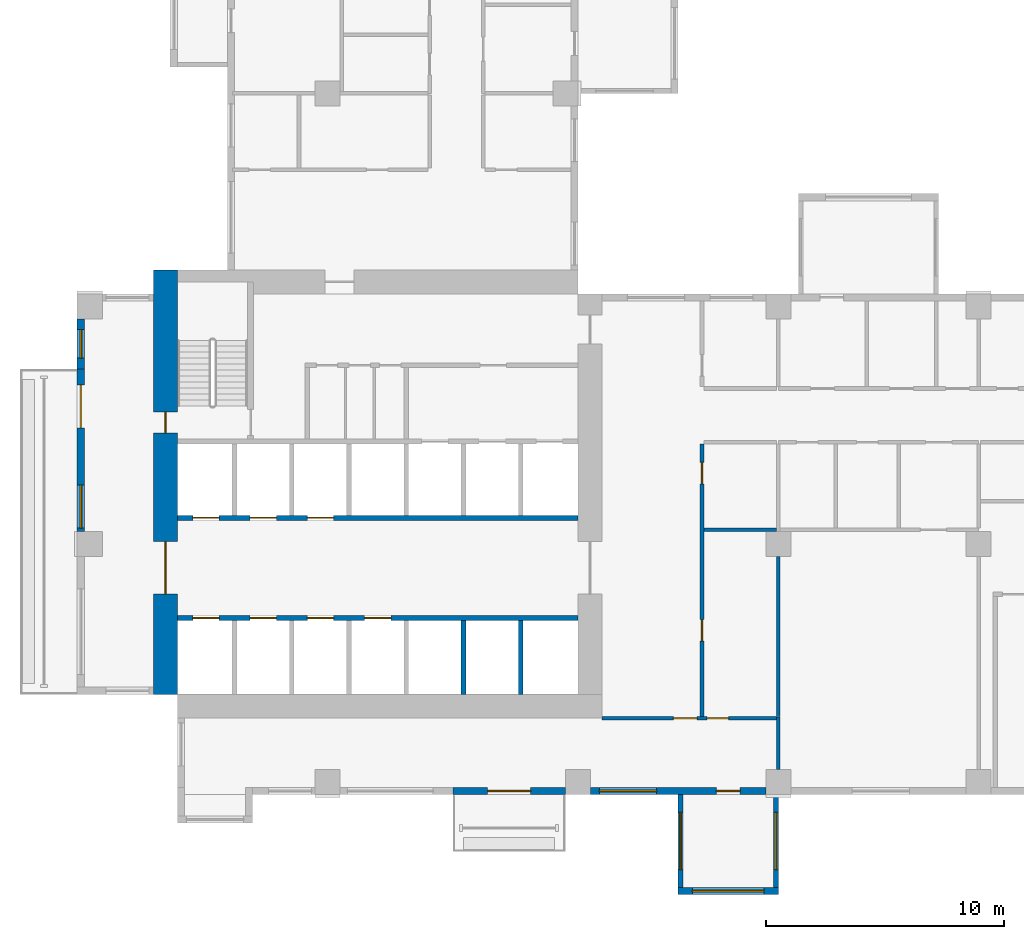
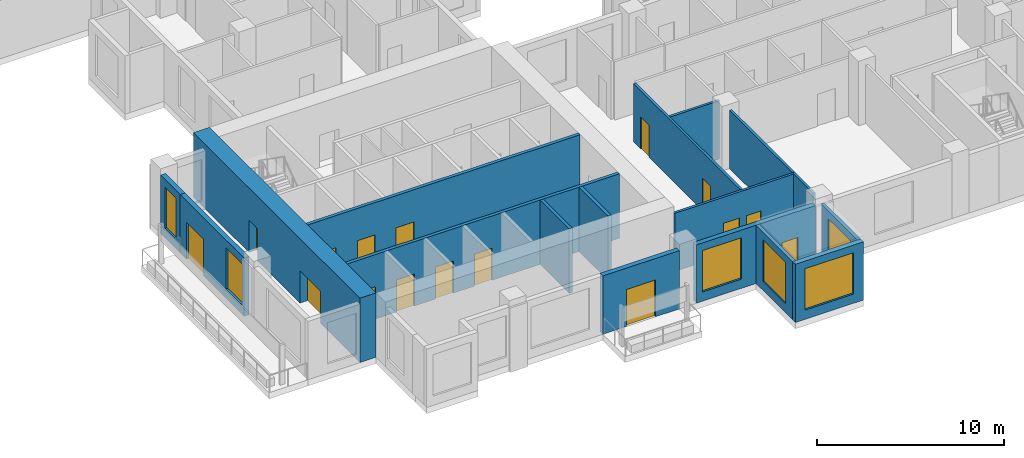
# One storey, part 2 of 15: 17 walls, 16 doors, 6 windows, 22 openings.
"""IFC4 building model written with IfcOpenShell, lengths in metres."""

from ifc_helpers import new_model, si_unit, direction, frame, frame_2d, origin, place, context, subcontext, project, spatial, rectangle, extrude, source, transform, mapped, material, layer, layer_set, type_object, element, fill, save


model = new_model("IFC4")

# Units and contexts
model_context = context("Model", 3, precision=1e-05, world=origin(), true_north=direction((0.0, 1.0)))
body_context = subcontext(model_context, "Body", "Model", "MODEL_VIEW")
ifc_project = project(units=[si_unit("LENGTHUNIT", "METRE"), si_unit("AREAUNIT", "SQUARE_METRE"), si_unit("VOLUMEUNIT", "CUBIC_METRE"), si_unit("PLANEANGLEUNIT", "RADIAN"), si_unit("MASSUNIT", "GRAM", prefix="KILO")], contexts=[model_context])

# Site, building, storey
site_placement = place(None, origin())
site = spatial("IfcSite", under=ifc_project, at=site_placement, CompositionType="ELEMENT")
building_placement = place(site_placement, origin())
building = spatial("IfcBuilding", under=site, at=building_placement, Name="Aurelian Terraces", CompositionType="ELEMENT")
storey_placement = place(building_placement, frame((0.0, 0.0, 137.1)))
storey = spatial("IfcBuildingStorey", under=building, at=storey_placement, Name="L30", CompositionType="ELEMENT", Elevation=137.1)

# Wall, openings, doors
ifc_material_1 = material(Name="Concrete fc' 83 MPa", Category="concrete")
ifc_layer_1 = layer(ifc_material_1, 1.0)
ifc_layer_set_1 = layer_set([ifc_layer_1], Name="CORE WALL 1000 FC83")
wall_type_1 = type_object("IfcWallType", Name="CORE WALL 1000 FC83", PredefinedType="SHEAR", material=ifc_layer_set_1)
shared_shape_1 = source(origin(), body_context, "Body", "SweptSolid", [
    extrude(rectangle(XDim=17.8, YDim=1.0, at=frame_2d((8.9, 0.0))), origin(), (0.0, 0.0, 1.0), 4.2),
])
wall_1_placement = place(storey_placement, frame((3.7, 4.2, 0.0), z_axis=(0.0, 0.0, 1.0), x_axis=(0.0, 1.0, 0.0)))
wall_1 = element("IfcWall", 1, at=wall_1_placement, inside=storey, type_object=wall_type_1, Name="Core wall W L30", PredefinedType="SHEAR", context=body_context, shape_type="MappedRepresentation", body=[
    mapped(shared_shape_1, transform((0.0, 0.0, 0.0), scale=1.0)),
])
shared_shape_2 = source(origin(), body_context, "Body", "SweptSolid", [
    extrude(rectangle(XDim=2.2, YDim=2.1, at=frame_2d((1.1, 1.05))), frame((0.0, 0.51, 0.0), z_axis=(0.0, -1.0, 0.0), x_axis=(1.0, 0.0, 0.0)), (0.0, 0.0, 1.0), 1.02),
])
opening_1_placement = place(wall_1_placement, frame((4.2, 0.0, 0.0)))
opening_1 = element("IfcOpeningElement", 2, at=opening_1_placement, cuts=wall_1, Name="Opening 63322", PredefinedType="OPENING", context=body_context, shape_type="MappedRepresentation", body=[
    mapped(shared_shape_2, transform((0.0, 0.0, 0.0), scale=1.0)),
])
shared_shape_3 = source(origin(), body_context, "Body", "SweptSolid", [
    extrude(rectangle(XDim=0.9, YDim=2.1, at=frame_2d((0.45, 1.05))), frame((0.0, 0.51, 0.0), z_axis=(0.0, -1.0, 0.0), x_axis=(1.0, 0.0, 0.0)), (0.0, 0.0, 1.0), 1.02),
])
opening_2_placement = place(wall_1_placement, frame((10.95, 0.0, 0.0)))
opening_2 = element("IfcOpeningElement", 3, at=opening_2_placement, cuts=wall_1, Name="Opening 63325", PredefinedType="OPENING", context=body_context, shape_type="MappedRepresentation", body=[
    mapped(shared_shape_3, transform((0.0, 0.0, 0.0), scale=1.0)),
])
ifc_material_2 = material(Name="Steel door leaf", Category="steel")
door_type_1 = type_object("IfcDoorType", Name="Core service door 900x2100 right", OperationType="SINGLE_SWING_RIGHT", PredefinedType="DOOR", material=ifc_material_2)
shared_shape_4 = source(origin(), body_context, "Body", "SweptSolid", [
    extrude(rectangle(XDim=0.9, YDim=2.1, at=frame_2d((0.45, 1.05))), frame((0.0, 0.025, 0.0), z_axis=(0.0, -1.0, 0.0), x_axis=(1.0, 0.0, 0.0)), (0.0, 0.0, 1.0), 0.05),
])
door_1_placement = place(opening_2_placement, origin())
door_1 = element("IfcDoor", 4, at=door_1_placement, inside=storey, type_object=door_type_1, Name="Core door 63325", OperationType="SINGLE_SWING_RIGHT", OverallHeight=2.1, OverallWidth=0.9, PredefinedType="DOOR", context=body_context, shape_type="MappedRepresentation", body=[
    mapped(shared_shape_4, transform((0.0, 0.0, 0.0), scale=1.0)),
])
fill(opening_2, door_1)
door_type_2 = type_object("IfcDoorType", Name="Core double door 2200x2100", OperationType="DOUBLE_DOOR_SINGLE_SWING", PredefinedType="DOOR", material=ifc_material_2)
shared_shape_5 = source(origin(), body_context, "Body", "SweptSolid", [
    extrude(rectangle(XDim=2.2, YDim=2.1, at=frame_2d((1.1, 1.05))), frame((0.0, 0.025, 0.0), z_axis=(0.0, -1.0, 0.0), x_axis=(1.0, 0.0, 0.0)), (0.0, 0.0, 1.0), 0.05),
])
door_2_placement = place(opening_1_placement, origin())
door_2 = element("IfcDoor", 5, at=door_2_placement, inside=storey, type_object=door_type_2, Name="Core door 63322", OperationType="DOUBLE_DOOR_SINGLE_SWING", OverallHeight=2.1, OverallWidth=2.2, PredefinedType="DOOR", context=body_context, shape_type="MappedRepresentation", body=[
    mapped(shared_shape_5, transform((0.0, 0.0, 0.0), scale=1.0)),
])
fill(opening_1, door_2)

# Wall, opening, window
ifc_material_3 = material(Name="Concrete fc' 40 MPa", Category="concrete")
ifc_layer_2 = layer(ifc_material_3, 0.2)
ifc_layer_set_2 = layer_set([ifc_layer_2], Name="BOX BEARING WALL 200")
wall_type_2 = type_object("IfcWallType", Name="BOX BEARING WALL 200", PredefinedType="SOLIDWALL", material=ifc_layer_set_2)
shared_shape_6 = source(origin(), body_context, "Body", "SweptSolid", [
    extrude(rectangle(XDim=3.9, YDim=0.2, at=frame_2d((1.95, 0.0))), origin(), (0.0, 0.0, 1.0), 3.8),
])
wall_2_placement = place(storey_placement, frame((25.3, 0.0, 0.0), z_axis=(0.0, 0.0, 1.0), x_axis=(0.0, -1.0, 0.0)))
wall_2 = element("IfcWall", 6, at=wall_2_placement, inside=storey, type_object=wall_type_2, Name="Box return L30 J39.1", PredefinedType="SOLIDWALL", context=body_context, shape_type="MappedRepresentation", body=[
    mapped(shared_shape_6, transform((0.0, 0.0, 0.0), scale=1.0)),
])
shared_shape_7 = source(origin(), body_context, "Body", "SweptSolid", [
    extrude(rectangle(XDim=2.4, YDim=2.7, at=frame_2d((1.2, 1.35))), frame((0.0, 0.11, 0.0), z_axis=(0.0, -1.0, 0.0), x_axis=(1.0, 0.0, 0.0)), (0.0, 0.0, 1.0), 0.22),
])
opening_3_placement = place(wall_2_placement, frame((0.75, 0.0, 0.6)))
opening_3 = element("IfcOpeningElement", 7, at=opening_3_placement, cuts=wall_2, Name="Opening W2427", PredefinedType="OPENING", context=body_context, shape_type="MappedRepresentation", body=[
    mapped(shared_shape_7, transform((0.0, 0.0, 0.0), scale=1.0)),
])
ifc_material_4 = material(Name="Clear glazing", Category="glass")
window_type_1 = type_object("IfcWindowType", Name="W-2400x2700", PartitioningType="SINGLE_PANEL", PredefinedType="WINDOW", material=ifc_material_4)
shared_shape_8 = source(origin(), body_context, "Body", "SweptSolid", [
    extrude(rectangle(XDim=2.4, YDim=2.7, at=frame_2d((1.2, 1.35))), frame((0.0, 0.03, 0.0), z_axis=(0.0, -1.0, 0.0), x_axis=(1.0, 0.0, 0.0)), (0.0, 0.0, 1.0), 0.06),
])
window_1_placement = place(opening_3_placement, origin())
window_1 = element("IfcWindow", 8, at=window_1_placement, inside=storey, type_object=window_type_1, Name="Window L30 J39-S1", OverallHeight=2.7, OverallWidth=2.4, PartitioningType="SINGLE_PANEL", PredefinedType="WINDOW", context=body_context, shape_type="MappedRepresentation", body=[
    mapped(shared_shape_8, transform((0.0, 0.0, 0.0), scale=1.0)),
])
fill(opening_3, window_1)

wall_3_placement = place(storey_placement, frame((29.3, 0.0, 0.0), z_axis=(0.0, 0.0, 1.0), x_axis=(0.0, -1.0, 0.0)))
wall_3 = element("IfcWall", 9, at=wall_3_placement, inside=storey, type_object=wall_type_2, Name="Box return L30 J39.2", PredefinedType="SOLIDWALL", context=body_context, shape_type="MappedRepresentation", body=[
    mapped(shared_shape_6, transform((0.0, 0.0, 0.0), scale=1.0)),
])
opening_4_placement = place(wall_3_placement, frame((0.75, 0.0, 0.6)))
opening_4 = element("IfcOpeningElement", 10, at=opening_4_placement, cuts=wall_3, Name="Opening W2427", PredefinedType="OPENING", context=body_context, shape_type="MappedRepresentation", body=[
    mapped(shared_shape_7, transform((0.0, 0.0, 0.0), scale=1.0)),
])
window_2_placement = place(opening_4_placement, origin())
window_2 = element("IfcWindow", 11, at=window_2_placement, inside=storey, type_object=window_type_1, Name="Window L30 J39-S2", OverallHeight=2.7, OverallWidth=2.4, PartitioningType="SINGLE_PANEL", PredefinedType="WINDOW", context=body_context, shape_type="MappedRepresentation", body=[
    mapped(shared_shape_8, transform((0.0, 0.0, 0.0), scale=1.0)),
])
fill(opening_4, window_2)

ifc_layer_3 = layer(ifc_material_3, 0.3)
ifc_layer_set_3 = layer_set([ifc_layer_3], Name="BOX BEARING WALL 300")
wall_type_3 = type_object("IfcWallType", Name="BOX BEARING WALL 300", PredefinedType="SOLIDWALL", material=ifc_layer_set_3)
shared_shape_9 = source(origin(), body_context, "Body", "SweptSolid", [
    extrude(rectangle(XDim=4.2, YDim=0.3, at=frame_2d((2.1, 0.0))), origin(), (0.0, 0.0, 1.0), 3.8),
])
wall_4_placement = place(storey_placement, frame((25.2, -4.05, 0.0), z_axis=(0.0, 0.0, 1.0), x_axis=(1.0, 0.0, 0.0)))
wall_4 = element("IfcWall", 12, at=wall_4_placement, inside=storey, type_object=wall_type_3, Name="Box wall L30 J39", PredefinedType="SOLIDWALL", context=body_context, shape_type="MappedRepresentation", body=[
    mapped(shared_shape_9, transform((0.0, 0.0, 0.0), scale=1.0)),
])
shared_shape_10 = source(origin(), body_context, "Body", "SweptSolid", [
    extrude(rectangle(XDim=3.0, YDim=2.7, at=frame_2d((1.5, 1.35))), frame((0.0, 0.16, 0.0), z_axis=(0.0, -1.0, 0.0), x_axis=(1.0, 0.0, 0.0)), (0.0, 0.0, 1.0), 0.32),
])
opening_5_placement = place(wall_4_placement, frame((0.6, 0.0, 0.6)))
opening_5 = element("IfcOpeningElement", 13, at=opening_5_placement, cuts=wall_4, Name="Opening W3027", PredefinedType="OPENING", context=body_context, shape_type="MappedRepresentation", body=[
    mapped(shared_shape_10, transform((0.0, 0.0, 0.0), scale=1.0)),
])
window_type_2 = type_object("IfcWindowType", Name="W-3000x2700", PartitioningType="SINGLE_PANEL", PredefinedType="WINDOW", material=ifc_material_4)
shared_shape_11 = source(origin(), body_context, "Body", "SweptSolid", [
    extrude(rectangle(XDim=3.0, YDim=2.7, at=frame_2d((1.5, 1.35))), frame((0.0, 0.03, 0.0), z_axis=(0.0, -1.0, 0.0), x_axis=(1.0, 0.0, 0.0)), (0.0, 0.0, 1.0), 0.06),
])
window_3_placement = place(opening_5_placement, origin())
window_3 = element("IfcWindow", 14, at=window_3_placement, inside=storey, type_object=window_type_2, Name="Window L30 J39-F1", OverallHeight=2.7, OverallWidth=3.0, PartitioningType="SINGLE_PANEL", PredefinedType="WINDOW", context=body_context, shape_type="MappedRepresentation", body=[
    mapped(shared_shape_11, transform((0.0, 0.0, 0.0), scale=1.0)),
])
fill(opening_5, window_3)

# Wall, openings, window, door
ifc_material_5 = material(Name="Terracotta rainscreen cladding", Category="masonry")
ifc_layer_4 = layer(ifc_material_5, 0.3)
ifc_layer_set_4 = layer_set([ifc_layer_4], Name="EW-300")
wall_type_4 = type_object("IfcWallType", Name="EW-300", PredefinedType="STANDARD", material=ifc_layer_set_4)
shared_shape_12 = source(origin(), body_context, "Body", "SweptSolid", [
    extrude(rectangle(XDim=7.35, YDim=0.3, at=frame_2d((3.675, 0.0))), origin(), (0.0, 0.0, 1.0), 3.8),
])
wall_5_placement = place(storey_placement, frame((21.525, 0.15, 0.0), z_axis=(0.0, 0.0, 1.0), x_axis=(1.0, 0.0, 0.0)))
wall_5 = element("IfcWall", 15, at=wall_5_placement, inside=storey, type_object=wall_type_4, Name="External wall L30 F01.5", PredefinedType="STANDARD", context=body_context, shape_type="MappedRepresentation", body=[
    mapped(shared_shape_12, transform((0.0, 0.0, 0.0), scale=1.0)),
])
shared_shape_13 = source(origin(), body_context, "Body", "SweptSolid", [
    extrude(rectangle(XDim=2.4, YDim=2.7, at=frame_2d((1.2, 1.35))), frame((0.0, 0.16, 0.0), z_axis=(0.0, -1.0, 0.0), x_axis=(1.0, 0.0, 0.0)), (0.0, 0.0, 1.0), 0.32),
])
opening_6_placement = place(wall_5_placement, frame((0.375, 0.0, 0.6)))
opening_6 = element("IfcOpeningElement", 16, at=opening_6_placement, cuts=wall_5, Name="Opening W2427", PredefinedType="OPENING", context=body_context, shape_type="MappedRepresentation", body=[
    mapped(shared_shape_13, transform((0.0, 0.0, 0.0), scale=1.0)),
])
shared_shape_14 = source(origin(), body_context, "Body", "SweptSolid", [
    extrude(rectangle(XDim=1.0, YDim=2.1, at=frame_2d((0.5, 1.05))), frame((0.0, 0.16, 0.0), z_axis=(0.0, -1.0, 0.0), x_axis=(1.0, 0.0, 0.0)), (0.0, 0.0, 1.0), 0.32),
])
opening_7_placement = place(wall_5_placement, frame((5.275, 0.0, 0.0)))
opening_7 = element("IfcOpeningElement", 17, at=opening_7_placement, cuts=wall_5, Name="Opening 830001", PredefinedType="OPENING", context=body_context, shape_type="MappedRepresentation", body=[
    mapped(shared_shape_14, transform((0.0, 0.0, 0.0), scale=1.0)),
])
window_4_placement = place(opening_6_placement, origin())
window_4 = element("IfcWindow", 18, at=window_4_placement, inside=storey, type_object=window_type_1, Name="Window L30 L30-F01-05-0", OverallHeight=2.7, OverallWidth=2.4, PartitioningType="SINGLE_PANEL", PredefinedType="WINDOW", context=body_context, shape_type="MappedRepresentation", body=[
    mapped(shared_shape_8, transform((0.0, 0.0, 0.0), scale=1.0)),
])
fill(opening_6, window_4)
ifc_material_6 = material(Name="Timber door leaf", Category="wood")
door_type_3 = type_object("IfcDoorType", Name="Room door 1000x2100 left", OperationType="SINGLE_SWING_LEFT", PredefinedType="DOOR", material=ifc_material_6)
shared_shape_15 = source(origin(), body_context, "Body", "SweptSolid", [
    extrude(rectangle(XDim=1.0, YDim=2.1, at=frame_2d((0.5, 1.05))), frame((0.0, 0.025, 0.0), z_axis=(0.0, -1.0, 0.0), x_axis=(1.0, 0.0, 0.0)), (0.0, 0.0, 1.0), 0.05),
])
door_3_placement = place(opening_7_placement, origin())
door_3 = element("IfcDoor", 19, at=door_3_placement, inside=storey, type_object=door_type_3, Name="Door 830001", OperationType="SINGLE_SWING_LEFT", OverallHeight=2.1, OverallWidth=1.0, PredefinedType="DOOR", context=body_context, shape_type="MappedRepresentation", body=[
    mapped(shared_shape_15, transform((0.0, 0.0, 0.0), scale=1.0)),
])
fill(opening_7, door_3)

# Wall, opening, window
shared_shape_16 = source(origin(), body_context, "Body", "SweptSolid", [
    extrude(rectangle(XDim=2.1, YDim=0.3, at=frame_2d((1.05, 0.0))), origin(), (0.0, 0.0, 1.0), 3.8),
])
wall_6_placement = place(storey_placement, frame((0.15, 19.95, 0.0), z_axis=(0.0, 0.0, 1.0), x_axis=(0.0, -1.0, 0.0)))
wall_6 = element("IfcWall", 20, at=wall_6_placement, inside=storey, type_object=wall_type_4, Name="External wall L30 F20.37", PredefinedType="STANDARD", context=body_context, shape_type="MappedRepresentation", body=[
    mapped(shared_shape_16, transform((0.0, 0.0, 0.0), scale=1.0)),
])
shared_shape_17 = source(origin(), body_context, "Body", "SweptSolid", [
    extrude(rectangle(XDim=1.2, YDim=2.7, at=frame_2d((0.6, 1.35))), frame((0.0, 0.16, 0.0), z_axis=(0.0, -1.0, 0.0), x_axis=(1.0, 0.0, 0.0)), (0.0, 0.0, 1.0), 0.32),
])
opening_8_placement = place(wall_6_placement, frame((0.45, 0.0, 0.6)))
opening_8 = element("IfcOpeningElement", 21, at=opening_8_placement, cuts=wall_6, Name="Opening W1227", PredefinedType="OPENING", context=body_context, shape_type="MappedRepresentation", body=[
    mapped(shared_shape_17, transform((0.0, 0.0, 0.0), scale=1.0)),
])
window_type_3 = type_object("IfcWindowType", Name="W-1200x2700", PartitioningType="SINGLE_PANEL", PredefinedType="WINDOW", material=ifc_material_4)
shared_shape_18 = source(origin(), body_context, "Body", "SweptSolid", [
    extrude(rectangle(XDim=1.2, YDim=2.7, at=frame_2d((0.6, 1.35))), frame((0.0, 0.03, 0.0), z_axis=(0.0, -1.0, 0.0), x_axis=(1.0, 0.0, 0.0)), (0.0, 0.0, 1.0), 0.06),
])
window_5_placement = place(opening_8_placement, origin())
window_5 = element("IfcWindow", 22, at=window_5_placement, inside=storey, type_object=window_type_3, Name="Window L30 L30-F20-37-P0", OverallHeight=2.7, OverallWidth=1.2, PartitioningType="SINGLE_PANEL", PredefinedType="WINDOW", context=body_context, shape_type="MappedRepresentation", body=[
    mapped(shared_shape_18, transform((0.0, 0.0, 0.0), scale=1.0)),
])
fill(opening_8, window_5)

# Wall, openings, door, window
shared_shape_19 = source(origin(), body_context, "Body", "SweptSolid", [
    extrude(rectangle(XDim=6.825, YDim=0.3, at=frame_2d((3.4125, 0.0))), origin(), (0.0, 0.0, 1.0), 3.8),
])
wall_7_placement = place(storey_placement, frame((0.15, 17.85, 0.0), z_axis=(0.0, 0.0, 1.0), x_axis=(0.0, -1.0, 0.0)))
wall_7 = element("IfcWall", 23, at=wall_7_placement, inside=storey, type_object=wall_type_4, Name="External wall L30 F20.38", PredefinedType="STANDARD", context=body_context, shape_type="MappedRepresentation", body=[
    mapped(shared_shape_19, transform((0.0, 0.0, 0.0), scale=1.0)),
])
shared_shape_20 = source(origin(), body_context, "Body", "SweptSolid", [
    extrude(rectangle(XDim=1.8, YDim=2.4, at=frame_2d((0.9, 1.2))), frame((0.0, 0.16, 0.0), z_axis=(0.0, -1.0, 0.0), x_axis=(1.0, 0.0, 0.0)), (0.0, 0.0, 1.0), 0.32),
])
opening_9_placement = place(wall_7_placement, frame((0.675, 0.0, 0.0)))
opening_9 = element("IfcOpeningElement", 24, at=opening_9_placement, cuts=wall_7, Name="Opening 83002", PredefinedType="OPENING", context=body_context, shape_type="MappedRepresentation", body=[
    mapped(shared_shape_20, transform((0.0, 0.0, 0.0), scale=1.0)),
])
shared_shape_21 = source(origin(), body_context, "Body", "SweptSolid", [
    extrude(rectangle(XDim=1.8, YDim=2.7, at=frame_2d((0.9, 1.35))), frame((0.0, 0.16, 0.0), z_axis=(0.0, -1.0, 0.0), x_axis=(1.0, 0.0, 0.0)), (0.0, 0.0, 1.0), 0.32),
])
opening_10_placement = place(wall_7_placement, frame((4.875, 0.0, 0.6)))
opening_10 = element("IfcOpeningElement", 25, at=opening_10_placement, cuts=wall_7, Name="Opening W1827", PredefinedType="OPENING", context=body_context, shape_type="MappedRepresentation", body=[
    mapped(shared_shape_21, transform((0.0, 0.0, 0.0), scale=1.0)),
])
door_type_4 = type_object("IfcDoorType", Name="BD-1800x2400", OperationType="SLIDING_TO_LEFT", PredefinedType="DOOR", material=ifc_material_4)
shared_shape_22 = source(origin(), body_context, "Body", "SweptSolid", [
    extrude(rectangle(XDim=1.8, YDim=2.4, at=frame_2d((0.9, 1.2))), frame((0.0, 0.025, 0.0), z_axis=(0.0, -1.0, 0.0), x_axis=(1.0, 0.0, 0.0)), (0.0, 0.0, 1.0), 0.05),
])
door_4_placement = place(opening_9_placement, origin())
door_4 = element("IfcDoor", 26, at=door_4_placement, inside=storey, type_object=door_type_4, Name="Balcony door L30 F20.38", OperationType="SLIDING_TO_LEFT", OverallHeight=2.4, OverallWidth=1.8, PredefinedType="DOOR", context=body_context, shape_type="MappedRepresentation", body=[
    mapped(shared_shape_22, transform((0.0, 0.0, 0.0), scale=1.0)),
])
fill(opening_9, door_4)
window_type_4 = type_object("IfcWindowType", Name="W-1800x2700", PartitioningType="SINGLE_PANEL", PredefinedType="WINDOW", material=ifc_material_4)
shared_shape_23 = source(origin(), body_context, "Body", "SweptSolid", [
    extrude(rectangle(XDim=1.8, YDim=2.7, at=frame_2d((0.9, 1.35))), frame((0.0, 0.03, 0.0), z_axis=(0.0, -1.0, 0.0), x_axis=(1.0, 0.0, 0.0)), (0.0, 0.0, 1.0), 0.06),
])
window_6_placement = place(opening_10_placement, origin())
window_6 = element("IfcWindow", 27, at=window_6_placement, inside=storey, type_object=window_type_4, Name="Window L30 L30-F20-38-1", OverallHeight=2.7, OverallWidth=1.8, PartitioningType="SINGLE_PANEL", PredefinedType="WINDOW", context=body_context, shape_type="MappedRepresentation", body=[
    mapped(shared_shape_23, transform((0.0, 0.0, 0.0), scale=1.0)),
])
fill(opening_10, window_6)

# Wall, opening, door
shared_shape_24 = source(origin(), body_context, "Body", "SweptSolid", [
    extrude(rectangle(XDim=4.725, YDim=0.3, at=frame_2d((2.3625, 0.0))), origin(), (0.0, 0.0, 1.0), 3.8),
])
wall_8_placement = place(storey_placement, frame((15.75, 0.15, 0.0), z_axis=(0.0, 0.0, 1.0), x_axis=(1.0, 0.0, 0.0)))
wall_8 = element("IfcWall", 28, at=wall_8_placement, inside=storey, type_object=wall_type_4, Name="External wall L30 F01.4", PredefinedType="STANDARD", context=body_context, shape_type="MappedRepresentation", body=[
    mapped(shared_shape_24, transform((0.0, 0.0, 0.0), scale=1.0)),
])
opening_11_placement = place(wall_8_placement, frame((1.4625, 0.0, 0.0)))
opening_11 = element("IfcOpeningElement", 29, at=opening_11_placement, cuts=wall_8, Name="Opening 83001", PredefinedType="OPENING", context=body_context, shape_type="MappedRepresentation", body=[
    mapped(shared_shape_20, transform((0.0, 0.0, 0.0), scale=1.0)),
])
door_5_placement = place(opening_11_placement, origin())
door_5 = element("IfcDoor", 30, at=door_5_placement, inside=storey, type_object=door_type_4, Name="Balcony door L30 F01.4", OperationType="SLIDING_TO_LEFT", OverallHeight=2.4, OverallWidth=1.8, PredefinedType="DOOR", context=body_context, shape_type="MappedRepresentation", body=[
    mapped(shared_shape_22, transform((0.0, 0.0, 0.0), scale=1.0)),
])
fill(opening_11, door_5)

# Walls
ifc_layer_5 = layer(ifc_material_3, 0.2)
ifc_layer_set_5 = layer_set([ifc_layer_5], Name="Lift shaft wall 200")
wall_type_5 = type_object("IfcWallType", Name="Lift shaft wall 200", PredefinedType="SOLIDWALL", material=ifc_layer_set_5)
shared_shape_25 = source(origin(), body_context, "Body", "SweptSolid", [
    extrude(rectangle(XDim=3.1, YDim=0.2, at=frame_2d((1.55, 0.0))), origin(), (0.0, 0.0, 1.0), 4.2),
])
for number, where, z_axis, x_axis, name in (
    (31, (16.2, 4.2, 0.0), (0.0, 0.0, 1.0), (0.0, 1.0, 0.0), "L30 core wall CD-A5"),
    (32, (18.6, 4.2, 0.0), (0.0, 0.0, 1.0), (0.0, 1.0, 0.0), "L30 core wall CD-A6"),
):
    element("IfcWall", number, at=place(storey_placement, frame(where, z_axis=z_axis, x_axis=x_axis)), inside=storey, type_object=wall_type_5, Name=name, PredefinedType="SOLIDWALL", context=body_context, shape_type="MappedRepresentation", body=[
        mapped(shared_shape_25, transform((0.0, 0.0, 0.0), scale=1.0)),
    ])

# Wall, openings, doors
shared_shape_26 = source(origin(), body_context, "Body", "SweptSolid", [
    extrude(rectangle(XDim=16.8, YDim=0.2, at=frame_2d((8.4, 0.0))), origin(), (0.0, 0.0, 1.0), 4.2),
])
wall_9_placement = place(storey_placement, frame((4.2, 7.4, 0.0), z_axis=(0.0, 0.0, 1.0), x_axis=(1.0, 0.0, 0.0)))
wall_9 = element("IfcWall", 33, at=wall_9_placement, inside=storey, type_object=wall_type_5, Name="L30 core wall CF-AF1", PredefinedType="SOLIDWALL", context=body_context, shape_type="MappedRepresentation", body=[
    mapped(shared_shape_26, transform((0.0, 0.0, 0.0), scale=1.0)),
])
shared_shape_27 = source(origin(), body_context, "Body", "SweptSolid", [
    extrude(rectangle(XDim=1.1, YDim=2.1, at=frame_2d((0.55, 1.05))), frame((0.0, 0.11, 0.0), z_axis=(0.0, -1.0, 0.0), x_axis=(1.0, 0.0, 0.0)), (0.0, 0.0, 1.0), 0.22),
])
opening_12_placement = place(wall_9_placement, frame((0.65, 0.0, 0.0)))
opening_12 = element("IfcOpeningElement", 34, at=opening_12_placement, cuts=wall_9, Name="Opening 63300", PredefinedType="OPENING", context=body_context, shape_type="MappedRepresentation", body=[
    mapped(shared_shape_27, transform((0.0, 0.0, 0.0), scale=1.0)),
])
opening_13_placement = place(wall_9_placement, frame((3.05, 0.0, 0.0)))
opening_13 = element("IfcOpeningElement", 35, at=opening_13_placement, cuts=wall_9, Name="Opening 63301", PredefinedType="OPENING", context=body_context, shape_type="MappedRepresentation", body=[
    mapped(shared_shape_27, transform((0.0, 0.0, 0.0), scale=1.0)),
])
opening_14_placement = place(wall_9_placement, frame((5.45, 0.0, 0.0)))
opening_14 = element("IfcOpeningElement", 36, at=opening_14_placement, cuts=wall_9, Name="Opening 63302", PredefinedType="OPENING", context=body_context, shape_type="MappedRepresentation", body=[
    mapped(shared_shape_27, transform((0.0, 0.0, 0.0), scale=1.0)),
])
opening_15_placement = place(wall_9_placement, frame((7.85, 0.0, 0.0)))
opening_15 = element("IfcOpeningElement", 37, at=opening_15_placement, cuts=wall_9, Name="Opening 63303", PredefinedType="OPENING", context=body_context, shape_type="MappedRepresentation", body=[
    mapped(shared_shape_27, transform((0.0, 0.0, 0.0), scale=1.0)),
])
ifc_material_7 = material(Name="Stainless steel", Category="steel")
door_type_5 = type_object("IfcDoorType", Name="Lift landing door 1100x2100", OperationType="SLIDING_TO_LEFT", PredefinedType="DOOR", material=ifc_material_7)
shared_shape_28 = source(origin(), body_context, "Body", "SweptSolid", [
    extrude(rectangle(XDim=1.1, YDim=2.1, at=frame_2d((0.55, 1.05))), frame((0.0, 0.025, 0.0), z_axis=(0.0, -1.0, 0.0), x_axis=(1.0, 0.0, 0.0)), (0.0, 0.0, 1.0), 0.05),
])
door_6_placement = place(opening_12_placement, origin())
door_6 = element("IfcDoor", 38, at=door_6_placement, inside=storey, type_object=door_type_5, Name="Lift landing door LL1 L30", OperationType="SLIDING_TO_LEFT", OverallHeight=2.1, OverallWidth=1.1, PredefinedType="DOOR", context=body_context, shape_type="MappedRepresentation", body=[
    mapped(shared_shape_28, transform((0.0, 0.0, 0.0), scale=1.0)),
])
fill(opening_12, door_6)
door_7_placement = place(opening_13_placement, origin())
door_7 = element("IfcDoor", 39, at=door_7_placement, inside=storey, type_object=door_type_5, Name="Lift landing door LL2 L30", OperationType="SLIDING_TO_LEFT", OverallHeight=2.1, OverallWidth=1.1, PredefinedType="DOOR", context=body_context, shape_type="MappedRepresentation", body=[
    mapped(shared_shape_28, transform((0.0, 0.0, 0.0), scale=1.0)),
])
fill(opening_13, door_7)
door_8_placement = place(opening_14_placement, origin())
door_8 = element("IfcDoor", 40, at=door_8_placement, inside=storey, type_object=door_type_5, Name="Lift landing door LL3 L30", OperationType="SLIDING_TO_LEFT", OverallHeight=2.1, OverallWidth=1.1, PredefinedType="DOOR", context=body_context, shape_type="MappedRepresentation", body=[
    mapped(shared_shape_28, transform((0.0, 0.0, 0.0), scale=1.0)),
])
fill(opening_14, door_8)
door_9_placement = place(opening_15_placement, origin())
door_9 = element("IfcDoor", 41, at=door_9_placement, inside=storey, type_object=door_type_5, Name="Lift landing door LL4 L30", OperationType="SLIDING_TO_LEFT", OverallHeight=2.1, OverallWidth=1.1, PredefinedType="DOOR", context=body_context, shape_type="MappedRepresentation", body=[
    mapped(shared_shape_28, transform((0.0, 0.0, 0.0), scale=1.0)),
])
fill(opening_15, door_9)

wall_10_placement = place(storey_placement, frame((4.2, 11.6, 0.0), z_axis=(0.0, 0.0, 1.0), x_axis=(1.0, 0.0, 0.0)))
wall_10 = element("IfcWall", 42, at=wall_10_placement, inside=storey, type_object=wall_type_5, Name="L30 core wall CF-BF1", PredefinedType="SOLIDWALL", context=body_context, shape_type="MappedRepresentation", body=[
    mapped(shared_shape_26, transform((0.0, 0.0, 0.0), scale=1.0)),
])
opening_16_placement = place(wall_10_placement, frame((0.65, 0.0, 0.0)))
opening_16 = element("IfcOpeningElement", 43, at=opening_16_placement, cuts=wall_10, Name="Opening 63304", PredefinedType="OPENING", context=body_context, shape_type="MappedRepresentation", body=[
    mapped(shared_shape_27, transform((0.0, 0.0, 0.0), scale=1.0)),
])
opening_17_placement = place(wall_10_placement, frame((3.05, 0.0, 0.0)))
opening_17 = element("IfcOpeningElement", 44, at=opening_17_placement, cuts=wall_10, Name="Opening 63305", PredefinedType="OPENING", context=body_context, shape_type="MappedRepresentation", body=[
    mapped(shared_shape_27, transform((0.0, 0.0, 0.0), scale=1.0)),
])
opening_18_placement = place(wall_10_placement, frame((5.45, 0.0, 0.0)))
opening_18 = element("IfcOpeningElement", 45, at=opening_18_placement, cuts=wall_10, Name="Opening 63306", PredefinedType="OPENING", context=body_context, shape_type="MappedRepresentation", body=[
    mapped(shared_shape_27, transform((0.0, 0.0, 0.0), scale=1.0)),
])
door_10_placement = place(opening_16_placement, origin())
door_10 = element("IfcDoor", 46, at=door_10_placement, inside=storey, type_object=door_type_5, Name="Lift landing door LL5 L30", OperationType="SLIDING_TO_LEFT", OverallHeight=2.1, OverallWidth=1.1, PredefinedType="DOOR", context=body_context, shape_type="MappedRepresentation", body=[
    mapped(shared_shape_28, transform((0.0, 0.0, 0.0), scale=1.0)),
])
fill(opening_16, door_10)
door_11_placement = place(opening_17_placement, origin())
door_11 = element("IfcDoor", 47, at=door_11_placement, inside=storey, type_object=door_type_5, Name="Lift landing door LL6 L30", OperationType="SLIDING_TO_LEFT", OverallHeight=2.1, OverallWidth=1.1, PredefinedType="DOOR", context=body_context, shape_type="MappedRepresentation", body=[
    mapped(shared_shape_28, transform((0.0, 0.0, 0.0), scale=1.0)),
])
fill(opening_17, door_11)
door_12_placement = place(opening_18_placement, origin())
door_12 = element("IfcDoor", 48, at=door_12_placement, inside=storey, type_object=door_type_5, Name="Lift landing door LL7 L30", OperationType="SLIDING_TO_LEFT", OverallHeight=2.1, OverallWidth=1.1, PredefinedType="DOOR", context=body_context, shape_type="MappedRepresentation", body=[
    mapped(shared_shape_28, transform((0.0, 0.0, 0.0), scale=1.0)),
])
fill(opening_18, door_12)

# Walls
ifc_material_8 = material(Name="Gypsum board on steel studs", Category="steel")
ifc_layer_6 = layer(ifc_material_8, 0.15)
ifc_layer_set_6 = layer_set([ifc_layer_6], Name="Partition 150")
wall_type_6 = type_object("IfcWallType", Name="Partition 150", PredefinedType="PARTITIONING", material=ifc_layer_set_6)
shared_shape_29 = source(origin(), body_context, "Body", "SweptSolid", [
    extrude(rectangle(XDim=6.701, YDim=0.15, at=frame_2d((3.3505, 0.0))), origin(), (0.0, 0.0, 1.0), 3.8),
])
wall_11_placement = place(storey_placement, frame((29.4, 3.275, 0.0), z_axis=(0.0, 0.0, 1.0), x_axis=(0.0, 1.0, 0.0)))
element("IfcWall", 49, at=wall_11_placement, inside=storey, type_object=wall_type_6, Name="Partition", PredefinedType="PARTITIONING", context=body_context, shape_type="MappedRepresentation", body=[
    mapped(shared_shape_29, transform((0.0, 0.0, 0.0), scale=1.0)),
])
shared_shape_30 = source(origin(), body_context, "Body", "SweptSolid", [
    extrude(rectangle(XDim=2.206, YDim=0.15, at=frame_2d((1.103, 0.0))), origin(), (0.0, 0.0, 1.0), 3.8),
])
wall_12_placement = place(storey_placement, frame((29.4, 1.049, 0.0), z_axis=(0.0, 0.0, 1.0), x_axis=(0.0, 1.0, 0.0)))
element("IfcWall", 50, at=wall_12_placement, inside=storey, type_object=wall_type_6, Name="Partition", PredefinedType="PARTITIONING", context=body_context, shape_type="MappedRepresentation", body=[
    mapped(shared_shape_30, transform((0.0, 0.0, 0.0), scale=1.0)),
])
shared_shape_31 = source(origin(), body_context, "Body", "SweptSolid", [
    extrude(rectangle(XDim=3.05, YDim=0.15, at=frame_2d((1.525, 0.0))), origin(), (0.0, 0.0, 1.0), 3.8),
])
wall_13_placement = place(storey_placement, frame((29.325, 11.1, 0.0), z_axis=(0.0, 0.0, 1.0), x_axis=(-1.0, 0.0, 0.0)))
element("IfcWall", 51, at=wall_13_placement, inside=storey, type_object=wall_type_6, Name="Partition", PredefinedType="PARTITIONING", context=body_context, shape_type="MappedRepresentation", body=[
    mapped(shared_shape_31, transform((0.0, 0.0, 0.0), scale=1.0)),
])

# Wall, openings, doors
shared_shape_32 = source(origin(), body_context, "Body", "SweptSolid", [
    extrude(rectangle(XDim=7.325, YDim=0.15, at=frame_2d((3.6625, 0.0))), origin(), (0.0, 0.0, 1.0), 3.8),
])
wall_14_placement = place(storey_placement, frame((22.0, 3.2, 0.0), z_axis=(0.0, 0.0, 1.0), x_axis=(1.0, 0.0, 0.0)))
wall_14 = element("IfcWall", 52, at=wall_14_placement, inside=storey, type_object=wall_type_6, Name="Partition", PredefinedType="PARTITIONING", context=body_context, shape_type="MappedRepresentation", body=[
    mapped(shared_shape_32, transform((0.0, 0.0, 0.0), scale=1.0)),
])
shared_shape_33 = source(origin(), body_context, "Body", "SweptSolid", [
    extrude(rectangle(XDim=1.0, YDim=2.1, at=frame_2d((0.5, 1.05))), frame((0.0, 0.085, 0.0), z_axis=(0.0, -1.0, 0.0), x_axis=(1.0, 0.0, 0.0)), (0.0, 0.0, 1.0), 0.17),
])
opening_19_placement = place(wall_14_placement, frame((3.0, 0.0, 0.0)))
opening_19 = element("IfcOpeningElement", 53, at=opening_19_placement, cuts=wall_14, Name="Opening 730004", PredefinedType="OPENING", context=body_context, shape_type="MappedRepresentation", body=[
    mapped(shared_shape_33, transform((0.0, 0.0, 0.0), scale=1.0)),
])
shared_shape_34 = source(origin(), body_context, "Body", "SweptSolid", [
    extrude(rectangle(XDim=0.9, YDim=2.1, at=frame_2d((0.45, 1.05))), frame((0.0, 0.085, 0.0), z_axis=(0.0, -1.0, 0.0), x_axis=(1.0, 0.0, 0.0)), (0.0, 0.0, 1.0), 0.17),
])
opening_20_placement = place(wall_14_placement, frame((4.413, 0.0, 0.0)))
opening_20 = element("IfcOpeningElement", 54, at=opening_20_placement, cuts=wall_14, Name="Opening 730050", PredefinedType="OPENING", context=body_context, shape_type="MappedRepresentation", body=[
    mapped(shared_shape_34, transform((0.0, 0.0, 0.0), scale=1.0)),
])
door_type_6 = type_object("IfcDoorType", Name="Room door 1000x2100 right", OperationType="SINGLE_SWING_RIGHT", PredefinedType="DOOR", material=ifc_material_6)
door_13_placement = place(opening_19_placement, origin())
door_13 = element("IfcDoor", 55, at=door_13_placement, inside=storey, type_object=door_type_6, Name="Door 730004", OperationType="SINGLE_SWING_RIGHT", OverallHeight=2.1, OverallWidth=1.0, PredefinedType="DOOR", context=body_context, shape_type="MappedRepresentation", body=[
    mapped(shared_shape_15, transform((0.0, 0.0, 0.0), scale=1.0)),
])
fill(opening_19, door_13)
door_type_7 = type_object("IfcDoorType", Name="Room door 900x2100 left", OperationType="SINGLE_SWING_LEFT", PredefinedType="DOOR", material=ifc_material_6)
door_14_placement = place(opening_20_placement, origin())
door_14 = element("IfcDoor", 56, at=door_14_placement, inside=storey, type_object=door_type_7, Name="Door 730050", OperationType="SINGLE_SWING_LEFT", OverallHeight=2.1, OverallWidth=0.9, PredefinedType="DOOR", context=body_context, shape_type="MappedRepresentation", body=[
    mapped(shared_shape_4, transform((0.0, 0.0, 0.0), scale=1.0)),
])
fill(opening_20, door_14)

shared_shape_35 = source(origin(), body_context, "Body", "SweptSolid", [
    extrude(rectangle(XDim=11.425, YDim=0.15, at=frame_2d((5.7125, 0.0))), origin(), (0.0, 0.0, 1.0), 3.8),
])
wall_15_placement = place(storey_placement, frame((26.2, 14.7, 0.0), z_axis=(0.0, 0.0, 1.0), x_axis=(0.0, -1.0, 0.0)))
wall_15 = element("IfcWall", 57, at=wall_15_placement, inside=storey, type_object=wall_type_6, Name="Partition", PredefinedType="PARTITIONING", context=body_context, shape_type="MappedRepresentation", body=[
    mapped(shared_shape_35, transform((0.0, 0.0, 0.0), scale=1.0)),
])
opening_21_placement = place(wall_15_placement, frame((7.3625, 0.0, 0.0)))
opening_21 = element("IfcOpeningElement", 58, at=opening_21_placement, cuts=wall_15, Name="Opening 730001", PredefinedType="OPENING", context=body_context, shape_type="MappedRepresentation", body=[
    mapped(shared_shape_34, transform((0.0, 0.0, 0.0), scale=1.0)),
])
opening_22_placement = place(wall_15_placement, frame((0.775, 0.0, 0.0)))
opening_22 = element("IfcOpeningElement", 59, at=opening_22_placement, cuts=wall_15, Name="Opening 730002", PredefinedType="OPENING", context=body_context, shape_type="MappedRepresentation", body=[
    mapped(shared_shape_34, transform((0.0, 0.0, 0.0), scale=1.0)),
])
door_15_placement = place(opening_21_placement, origin())
door_15 = element("IfcDoor", 60, at=door_15_placement, inside=storey, type_object=door_type_7, Name="Door 730001", OperationType="SINGLE_SWING_LEFT", OverallHeight=2.1, OverallWidth=0.9, PredefinedType="DOOR", context=body_context, shape_type="MappedRepresentation", body=[
    mapped(shared_shape_4, transform((0.0, 0.0, 0.0), scale=1.0)),
])
fill(opening_21, door_15)
door_type_8 = type_object("IfcDoorType", Name="Room door 900x2100 right", OperationType="SINGLE_SWING_RIGHT", PredefinedType="DOOR", material=ifc_material_6)
door_16_placement = place(opening_22_placement, origin())
door_16 = element("IfcDoor", 61, at=door_16_placement, inside=storey, type_object=door_type_8, Name="Door 730002", OperationType="SINGLE_SWING_RIGHT", OverallHeight=2.1, OverallWidth=0.9, PredefinedType="DOOR", context=body_context, shape_type="MappedRepresentation", body=[
    mapped(shared_shape_4, transform((0.0, 0.0, 0.0), scale=1.0)),
])
fill(opening_22, door_16)

save(model, "model.ifc")
